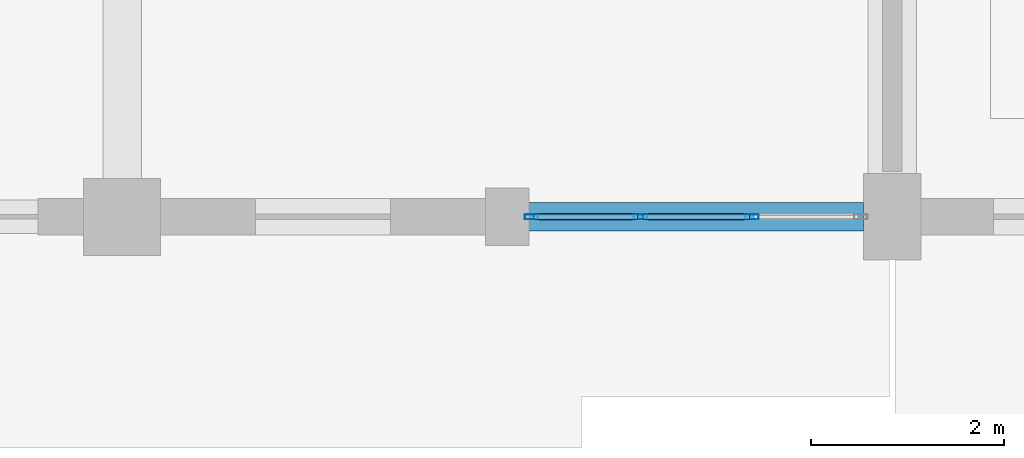
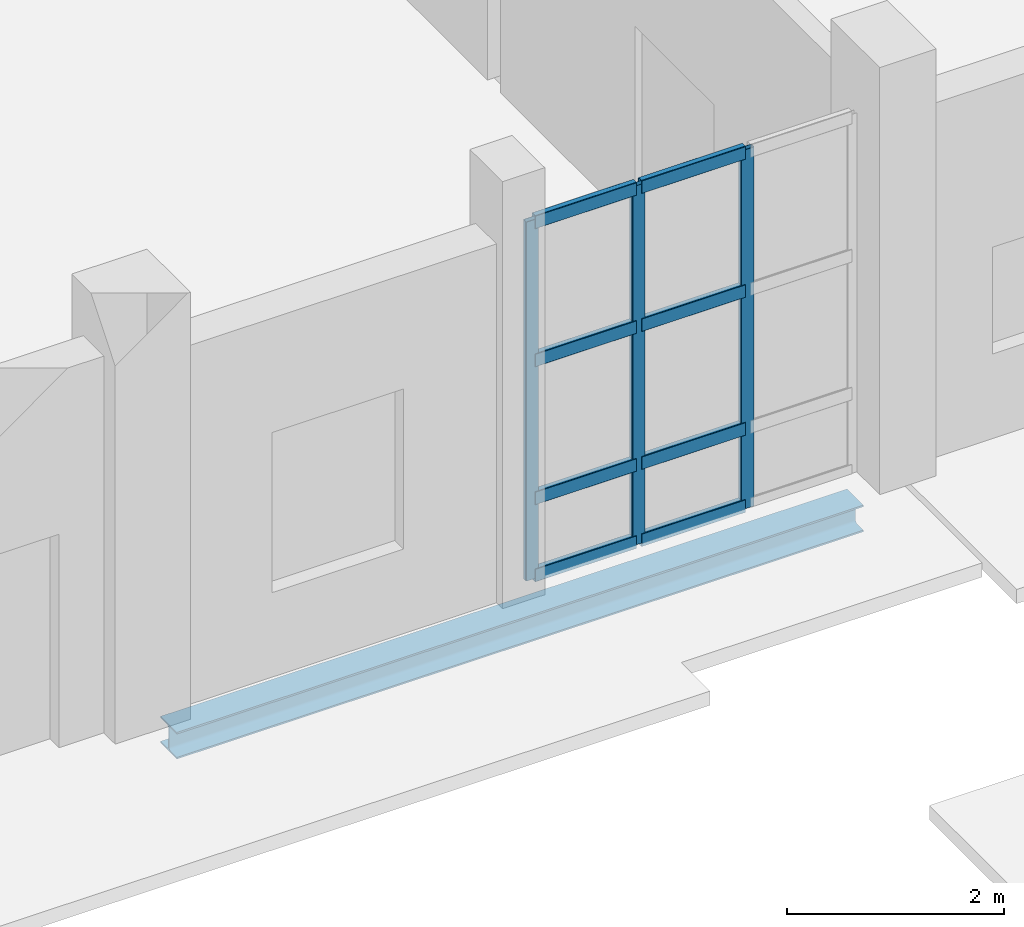
# One storey, part 54 of 156: 11 members, 1 beam, 1 element without a shape of its own.
"""IFC4 building model written with IfcOpenShell, lengths in metres."""

import ifcopenshell
import ifcopenshell.guid

model = None  # the IFC model being written
_history = None  # IfcOwnerHistory: only IFC2X3 demands one
_inside = {}  # id of a spatial element -> (the spatial element, [elements in it])
_under = {}  # id of a project, library or spatial element -> (it, [spatial elements below it])
_declared = {}  # id of a project -> (the project, [libraries it declares])
_typed = {}  # id of a type object -> (the type object, [elements of that type])
_made_of = {}  # id of a material, layer set ... -> (it, [elements and type objects made of it])


def new_model(schema):
    """Start an empty IFC model of exactly this schema.

    Asked for "IFC4X3", IfcOpenShell would pick the latest addendum, in which some entities
    have other attributes; the version numbers below select the first issue.
    IFC2X3 requires an IfcOwnerHistory on every rooted entity: one is made here for all.
    """
    global model, _history
    if schema == "IFC4X3":
        model = ifcopenshell.file(schema_version=(4, 3, 0, 0))
    else:
        model = ifcopenshell.file(schema=schema)
    _inside.clear()
    _under.clear()
    _declared.clear()
    _typed.clear()
    _made_of.clear()
    _history = None
    if model.schema == "IFC2X3":
        org = make("IfcOrganization", Name="unknown")
        user = make(
            "IfcPersonAndOrganization",
            ThePerson=make("IfcPerson", FamilyName="unknown"),
            TheOrganization=org,
        )
        app = make(
            "IfcApplication",
            ApplicationDeveloper=org,
            Version="unknown",
            ApplicationFullName="unknown",
            ApplicationIdentifier="unknown",
        )
        _history = make(
            "IfcOwnerHistory",
            OwningUser=user,
            OwningApplication=app,
            ChangeAction="ADDED",
            CreationDate=0,
        )
    return model


def make(cls, **values):
    """One entity of the class cls with the attributes given. An attribute that is None is left unset."""
    return model.create_entity(
        cls, **{name: value for name, value in values.items() if value is not None}
    )


def rooted(cls, **values):
    """An entity with a GlobalId (a new one), such as an element, a storey or a relation."""
    return make(cls, GlobalId=ifcopenshell.guid.new(), OwnerHistory=_history, **values)


def si_unit(unit_type, name, prefix=None):
    """IfcSIUnit, for example si_unit("LENGTHUNIT", "METRE", prefix="MILLI")."""
    return make("IfcSIUnit", UnitType=unit_type, Prefix=prefix, Name=name)


def assignment(units):
    """IfcUnitAssignment: the units of a project."""
    return None if units is None else make("IfcUnitAssignment", Units=units)


def point(xyz):
    """IfcCartesianPoint."""
    return None if xyz is None else make("IfcCartesianPoint", Coordinates=xyz)


def direction(xyz):
    """IfcDirection."""
    return None if xyz is None else make("IfcDirection", DirectionRatios=xyz)


def frame(location, z_axis=None, x_axis=None):
    """IfcAxis2Placement3D, a coordinate frame: its origin and axes. An axis left out is left unset."""
    return make(
        "IfcAxis2Placement3D",
        Location=point(location),
        Axis=direction(z_axis),
        RefDirection=direction(x_axis),
    )


def frame_2d(location, x_axis=None):
    """IfcAxis2Placement2D, a coordinate frame in the plane: its origin and x axis."""
    return make(
        "IfcAxis2Placement2D", Location=point(location), RefDirection=direction(x_axis)
    )


def origin():
    """The frame at (0, 0, 0) with its axes left unset."""
    return frame((0.0, 0.0, 0.0))


def origin_2d():
    """The frame at (0, 0) in the plane with its x axis left unset."""
    return frame_2d((0.0, 0.0))


def place(relative_to, where):
    """IfcLocalPlacement: puts the frame where relative to a parent placement (None: the world)."""
    return make(
        "IfcLocalPlacement", PlacementRelTo=relative_to, RelativePlacement=where
    )


def context(
    kind, dimensions, precision=None, world=None, true_north=None, identifier=None
):
    """IfcGeometricRepresentationContext, for example the 3D "Model" context."""
    return make(
        "IfcGeometricRepresentationContext",
        ContextIdentifier=identifier,
        ContextType=kind,
        CoordinateSpaceDimension=dimensions,
        Precision=precision,
        WorldCoordinateSystem=world,
        TrueNorth=true_north,
    )


def subcontext(parent, identifier, kind, view, scale=None):
    """IfcGeometricRepresentationSubContext, for example "Body" below "Model"."""
    return make(
        "IfcGeometricRepresentationSubContext",
        ContextIdentifier=identifier,
        ContextType=kind,
        ParentContext=parent,
        TargetScale=scale,
        TargetView=view,
    )


def project(units=None, contexts=None):
    """IfcProject with its units and contexts."""
    return rooted(
        "IfcProject",
        Name="project",
        RepresentationContexts=contexts,
        UnitsInContext=assignment(units),
    )


def spatial(cls, under=None, at=None, **own):
    """A site, building, storey or space (cls), placed at a placement, below another one or the project."""
    s = rooted(cls, ObjectPlacement=at, **own)
    if under is not None:
        _under.setdefault(under.id(), (under, []))[1].append(s)
    return s


def profile(cls, at=None, kind="AREA", **sizes):
    """A parametric profile (cls). Its sizes go by their IFC names, for example OverallWidth=200.0."""
    return make(cls, ProfileType=kind, Position=at, **sizes)


def hollow_rectangle(**sizes):
    """IfcRectangleHollowProfileDef."""
    return profile("IfcRectangleHollowProfileDef", **sizes)


def i_section(**sizes):
    """IfcIShapeProfileDef."""
    return profile("IfcIShapeProfileDef", **sizes)


def extrude(swept, where, along, depth):
    """IfcExtrudedAreaSolid: the profile swept, set in the frame where, extruded along a direction by depth."""
    return make(
        "IfcExtrudedAreaSolid",
        SweptArea=swept,
        Position=where,
        ExtrudedDirection=direction(along),
        Depth=depth,
    )


def shape(context_of_items, identifier, shape_type, items):
    """IfcShapeRepresentation: the items that make up one representation, for example the "Body"."""
    return make(
        "IfcShapeRepresentation",
        ContextOfItems=context_of_items,
        RepresentationIdentifier=identifier,
        RepresentationType=shape_type,
        Items=items,
    )


def material(Name=None, Category=None):
    """IfcMaterial."""
    return make("IfcMaterial", Name=Name, Category=Category)


def material_profile(
    of_material, cross_section, Name=None, Category=None, Priority=None
):
    """IfcMaterialProfile: a cross section and its material."""
    return make(
        "IfcMaterialProfile",
        Name=Name,
        Material=of_material,
        Profile=cross_section,
        Priority=Priority,
        Category=Category,
    )


def profile_set(profiles, Name=None, composite=None):
    """IfcMaterialProfileSet."""
    return make(
        "IfcMaterialProfileSet",
        Name=Name,
        MaterialProfiles=profiles,
        CompositeProfile=composite,
    )


def made_of(thing, what):
    """Note that an element or type object is made of a material, layer set ...; save() writes the relation."""
    if what is not None:
        _made_of.setdefault(what.id(), (what, []))[1].append(thing)
    return thing


def type_object(cls, material=None, **own):
    """A type object (cls), such as IfcWallType, which elements share."""
    return made_of(rooted(cls, **own), material)


def element(
    cls,
    number,
    at=None,
    inside=None,
    cuts=None,
    type_object=None,
    material=None,
    context=None,
    identifier="Body",
    shape_type=None,
    held_by="IfcProductDefinitionShape",
    body=None,
    shapes=None,
    **own,
):
    """One element of the class cls, such as IfcWall. Its Tag is "e" and its number.

    at: its placement. inside: the storey or other place that contains it. cuts: it is an
    opening in that element (IfcRelVoidsElement). A single representation is given by context,
    identifier, shape_type and body (its items); several are given by shapes. held_by: the class
    of the entity that holds the representations. save() writes the other relations.
    """
    e = rooted(cls, Tag="e%d" % number, ObjectPlacement=at, **own)
    if body is not None:
        shapes = [shape(context, identifier, shape_type, body)]
    if shapes is not None:
        e.Representation = make(held_by, Representations=shapes)
    if inside is not None:
        _inside.setdefault(inside.id(), (inside, []))[1].append(e)
    if cuts is not None:
        rooted(
            "IfcRelVoidsElement", RelatingBuildingElement=cuts, RelatedOpeningElement=e
        )
    if type_object is not None:
        _typed.setdefault(type_object.id(), (type_object, []))[1].append(e)
    return made_of(e, material)


def aggregate(whole, parts):
    """IfcRelAggregates: a whole, such as a stair, and the parts it consists of."""
    return rooted("IfcRelAggregates", RelatingObject=whole, RelatedObjects=parts)


def save(model, path):
    """Write the relations noted so far, then the file.

    IfcRelAggregates (storeys below a building ...), IfcRelContainedInSpatialStructure (elements
    in a storey), IfcRelDefinesByType, IfcRelAssociatesMaterial and IfcRelDeclares: one each for
    every whole, place, type object, material and project.
    """
    for whole, parts in _under.values():
        aggregate(whole, parts)
    for where, things in _inside.values():
        rooted(
            "IfcRelContainedInSpatialStructure",
            RelatedElements=things,
            RelatingStructure=where,
        )
    for kind, things in _typed.values():
        rooted("IfcRelDefinesByType", RelatedObjects=things, RelatingType=kind)
    for what, things in _made_of.values():
        rooted("IfcRelAssociatesMaterial", RelatedObjects=things, RelatingMaterial=what)
    for by, libraries in _declared.values():
        rooted("IfcRelDeclares", RelatingContext=by, RelatedDefinitions=libraries)
    model.write(path)


model = new_model("IFC4")

# Units and contexts
model_context = context("Model", 3, precision=1e-05, world=origin(), true_north=direction((0.0, 1.0)))
body_context = subcontext(model_context, "Body", "Model", "MODEL_VIEW")
ifc_project = project(units=[si_unit("LENGTHUNIT", "METRE"), si_unit("AREAUNIT", "SQUARE_METRE"), si_unit("VOLUMEUNIT", "CUBIC_METRE"), si_unit("PLANEANGLEUNIT", "RADIAN"), si_unit("MASSUNIT", "GRAM", prefix="KILO")], contexts=[model_context])

# Site, building, storey
site_placement = place(None, origin())
site = spatial("IfcSite", under=ifc_project, at=site_placement, CompositionType="ELEMENT")
building_placement = place(site_placement, origin())
building = spatial("IfcBuilding", under=site, at=building_placement, Name="Luwemba Playhouse", CompositionType="ELEMENT")
storey_placement = place(building_placement, origin())
storey = spatial("IfcBuildingStorey", under=building, at=storey_placement, Name="L00", CompositionType="ELEMENT", Elevation=0.0)

# Beam
ifc_material_1 = material(Name="Steel S355", Category="steel")
ifc_material_profile_1 = material_profile(ifc_material_1, i_section(OverallWidth=0.300048828125, OverallDepth=0.300048828125, WebThickness=0.010986328125, FlangeThickness=0.01904296875, FilletRadius=0.027099609375, at=origin_2d()))
ifc_profile_set_1 = profile_set([ifc_material_profile_1], Name="Steel S355")
beam_type = type_object("IfcBeamType", Name="BM-SSP1", PredefinedType="SPANDREL", material=ifc_profile_set_1)
beam_placement = place(storey_placement, frame((124.39990234375, 95.0, -0.449951171875), z_axis=(1.0, 0.0, 0.0), x_axis=(0.0, 1.0, 0.0)))
element("IfcBeam", 1, at=beam_placement, inside=storey, type_object=beam_type, Name="L00 grid girder 0299", PredefinedType="SPANDREL", context=body_context, shape_type="SweptSolid", body=[
    extrude(i_section(OverallWidth=0.300048828125, OverallDepth=0.300048828125, WebThickness=0.010986328125, FlangeThickness=0.01904296875, FilletRadius=0.027099609375, at=origin_2d()), origin(), (0.0, 0.0, 1.0), 7.300048828125),
])

# Curtain wall, members
ifc_material_2 = material(Name="Solar-control double glazing", Category="glass")
curtain_wall_type = type_object("IfcCurtainWallType", Name="CW-CW17", PredefinedType="USERDEFINED", material=ifc_material_2)
curtain_wall_placement = place(storey_placement, origin())
curtain_wall = element("IfcCurtainWall", 2, at=curtain_wall_placement, inside=storey, type_object=curtain_wall_type, Name="L00 V6E unitised curtain wall 093", ObjectType="UNITISED GLAZING", PredefinedType="USERDEFINED")
ifc_material_3 = material(Name="Aluminium 6063-T6", Category="aluminium")
ifc_material_profile_2 = material_profile(ifc_material_3, hollow_rectangle(XDim=0.054931640625, YDim=0.139892578125, WallThickness=0.00390625, InnerFilletRadius=0.006103515625, OuterFilletRadius=0.010009765625, at=origin_2d()))
ifc_profile_set_2 = profile_set([ifc_material_profile_2], Name="Aluminium 6063-T6")
member_type_1 = type_object("IfcMemberType", Name="CWM-M3", PredefinedType="MULLION", material=ifc_profile_set_2)
member_1_placement = place(storey_placement, frame((130.541748046875, 95.0, 0.0), z_axis=(0.0, 0.0, 1.0), x_axis=(0.0, -1.0, 0.0)))
member_1 = element("IfcMember", 3, at=member_1_placement, type_object=member_type_1, Name="CW17 mullion 2", PredefinedType="MULLION", context=body_context, shape_type="SweptSolid", body=[
    extrude(hollow_rectangle(XDim=0.054931640625, YDim=0.139892578125, WallThickness=0.00390625, InnerFilletRadius=0.006103515625, OuterFilletRadius=0.010009765625, at=origin_2d()), origin(), (0.0, 0.0, 1.0), 4.034912109375),
])
member_2_placement = place(storey_placement, frame((129.38330078125, 95.0, 0.0), z_axis=(0.0, 0.0, 1.0), x_axis=(0.0, -1.0, 0.0)))
member_2 = element("IfcMember", 4, at=member_2_placement, type_object=member_type_1, Name="CW17 mullion 3", PredefinedType="MULLION", context=body_context, shape_type="SweptSolid", body=[
    extrude(hollow_rectangle(XDim=0.054931640625, YDim=0.139892578125, WallThickness=0.00390625, InnerFilletRadius=0.006103515625, OuterFilletRadius=0.010009765625, at=origin_2d()), origin(), (0.0, 0.0, 1.0), 4.034912109375),
])
member_3_placement = place(storey_placement, frame((128.25244140625, 95.0, 0.0), z_axis=(0.0, 0.0, 1.0), x_axis=(0.0, -1.0, 0.0)))
member_3 = element("IfcMember", 5, at=member_3_placement, type_object=member_type_1, Name="CW17 mullion 4", PredefinedType="MULLION", context=body_context, shape_type="SweptSolid", body=[
    extrude(hollow_rectangle(XDim=0.054931640625, YDim=0.139892578125, WallThickness=0.00390625, InnerFilletRadius=0.006103515625, OuterFilletRadius=0.010009765625, at=origin_2d()), origin(), (0.0, 0.0, 1.0), 4.034912109375),
])
ifc_material_profile_3 = material_profile(ifc_material_3, hollow_rectangle(XDim=0.06494140625, YDim=0.14990234375, WallThickness=0.00390625, InnerFilletRadius=0.006103515625, OuterFilletRadius=0.010009765625, at=origin_2d()))
ifc_profile_set_3 = profile_set([ifc_material_profile_3], Name="Aluminium 6063-T6")
member_type_2 = type_object("IfcMemberType", Name="CWT-T3", PredefinedType="USERDEFINED", material=ifc_profile_set_3)
member_4_placement = place(storey_placement, frame((130.51416015625, 95.0, 0.032470703125), z_axis=(-1.0, 0.0, 0.0), x_axis=(0.0, -1.0, 0.0)))
member_4 = element("IfcMember", 6, at=member_4_placement, type_object=member_type_2, Name="CW17 transom 2.1", ObjectType="TRANSOM", PredefinedType="USERDEFINED", context=body_context, shape_type="SweptSolid", body=[
    extrude(hollow_rectangle(XDim=0.06494140625, YDim=0.14990234375, WallThickness=0.00390625, InnerFilletRadius=0.006103515625, OuterFilletRadius=0.010009765625, at=origin_2d()), origin(), (0.0, 0.0, 1.0), 1.103271484375),
])
member_5_placement = place(storey_placement, frame((130.51416015625, 95.0, 0.89990234375), z_axis=(-1.0, 0.0, 0.0), x_axis=(0.0, -1.0, 0.0)))
member_5 = element("IfcMember", 7, at=member_5_placement, type_object=member_type_2, Name="CW17 transom 2.2", ObjectType="TRANSOM", PredefinedType="USERDEFINED", context=body_context, shape_type="SweptSolid", body=[
    extrude(hollow_rectangle(XDim=0.06494140625, YDim=0.14990234375, WallThickness=0.00390625, InnerFilletRadius=0.006103515625, OuterFilletRadius=0.010009765625, at=origin_2d()), origin(), (0.0, 0.0, 1.0), 1.103271484375),
])
member_6_placement = place(storey_placement, frame((130.51416015625, 95.0, 2.449951171875), z_axis=(-1.0, 0.0, 0.0), x_axis=(0.0, -1.0, 0.0)))
member_6 = element("IfcMember", 8, at=member_6_placement, type_object=member_type_2, Name="CW17 transom 2.3", ObjectType="TRANSOM", PredefinedType="USERDEFINED", context=body_context, shape_type="SweptSolid", body=[
    extrude(hollow_rectangle(XDim=0.06494140625, YDim=0.14990234375, WallThickness=0.00390625, InnerFilletRadius=0.006103515625, OuterFilletRadius=0.010009765625, at=origin_2d()), origin(), (0.0, 0.0, 1.0), 1.103271484375),
])
member_7_placement = place(storey_placement, frame((130.51416015625, 95.0, 4.00244140625), z_axis=(-1.0, 0.0, 0.0), x_axis=(0.0, -1.0, 0.0)))
member_7 = element("IfcMember", 9, at=member_7_placement, type_object=member_type_2, Name="CW17 transom 2.4", ObjectType="TRANSOM", PredefinedType="USERDEFINED", context=body_context, shape_type="SweptSolid", body=[
    extrude(hollow_rectangle(XDim=0.06494140625, YDim=0.14990234375, WallThickness=0.00390625, InnerFilletRadius=0.006103515625, OuterFilletRadius=0.010009765625, at=origin_2d()), origin(), (0.0, 0.0, 1.0), 1.103271484375),
])
member_8_placement = place(storey_placement, frame((129.355712890625, 95.0, 0.032470703125), z_axis=(-1.0, 0.0, 0.0), x_axis=(0.0, -1.0, 0.0)))
member_8 = element("IfcMember", 10, at=member_8_placement, type_object=member_type_2, Name="CW17 transom 3.1", ObjectType="TRANSOM", PredefinedType="USERDEFINED", context=body_context, shape_type="SweptSolid", body=[
    extrude(hollow_rectangle(XDim=0.06494140625, YDim=0.14990234375, WallThickness=0.00390625, InnerFilletRadius=0.006103515625, OuterFilletRadius=0.010009765625, at=origin_2d()), origin(), (0.0, 0.0, 1.0), 1.07568359375),
])
member_9_placement = place(storey_placement, frame((129.355712890625, 95.0, 0.89990234375), z_axis=(-1.0, 0.0, 0.0), x_axis=(0.0, -1.0, 0.0)))
member_9 = element("IfcMember", 11, at=member_9_placement, type_object=member_type_2, Name="CW17 transom 3.2", ObjectType="TRANSOM", PredefinedType="USERDEFINED", context=body_context, shape_type="SweptSolid", body=[
    extrude(hollow_rectangle(XDim=0.06494140625, YDim=0.14990234375, WallThickness=0.00390625, InnerFilletRadius=0.006103515625, OuterFilletRadius=0.010009765625, at=origin_2d()), origin(), (0.0, 0.0, 1.0), 1.07568359375),
])
member_10_placement = place(storey_placement, frame((129.355712890625, 95.0, 2.449951171875), z_axis=(-1.0, 0.0, 0.0), x_axis=(0.0, -1.0, 0.0)))
member_10 = element("IfcMember", 12, at=member_10_placement, type_object=member_type_2, Name="CW17 transom 3.3", ObjectType="TRANSOM", PredefinedType="USERDEFINED", context=body_context, shape_type="SweptSolid", body=[
    extrude(hollow_rectangle(XDim=0.06494140625, YDim=0.14990234375, WallThickness=0.00390625, InnerFilletRadius=0.006103515625, OuterFilletRadius=0.010009765625, at=origin_2d()), origin(), (0.0, 0.0, 1.0), 1.07568359375),
])
member_11_placement = place(storey_placement, frame((129.355712890625, 95.0, 4.00244140625), z_axis=(-1.0, 0.0, 0.0), x_axis=(0.0, -1.0, 0.0)))
member_11 = element("IfcMember", 13, at=member_11_placement, type_object=member_type_2, Name="CW17 transom 3.4", ObjectType="TRANSOM", PredefinedType="USERDEFINED", context=body_context, shape_type="SweptSolid", body=[
    extrude(hollow_rectangle(XDim=0.06494140625, YDim=0.14990234375, WallThickness=0.00390625, InnerFilletRadius=0.006103515625, OuterFilletRadius=0.010009765625, at=origin_2d()), origin(), (0.0, 0.0, 1.0), 1.07568359375),
])
aggregate(curtain_wall, [member_1, member_2, member_3, member_4, member_5, member_6, member_7, member_8, member_9, member_10, member_11])

save(model, "model.ifc")
